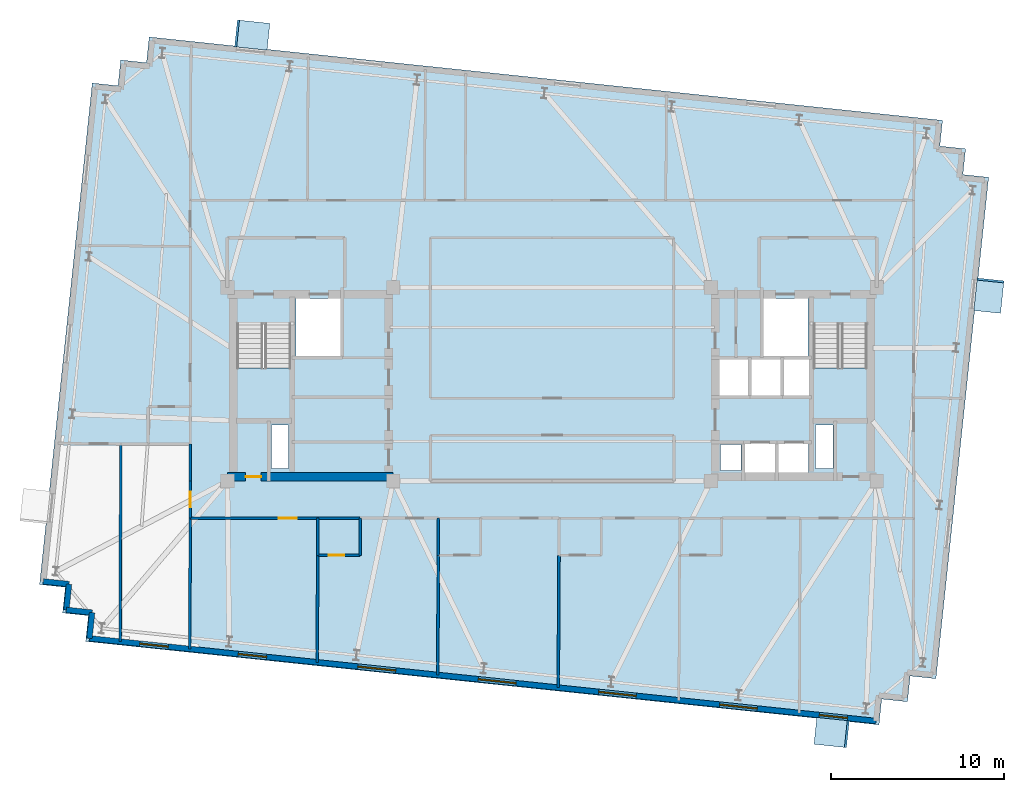
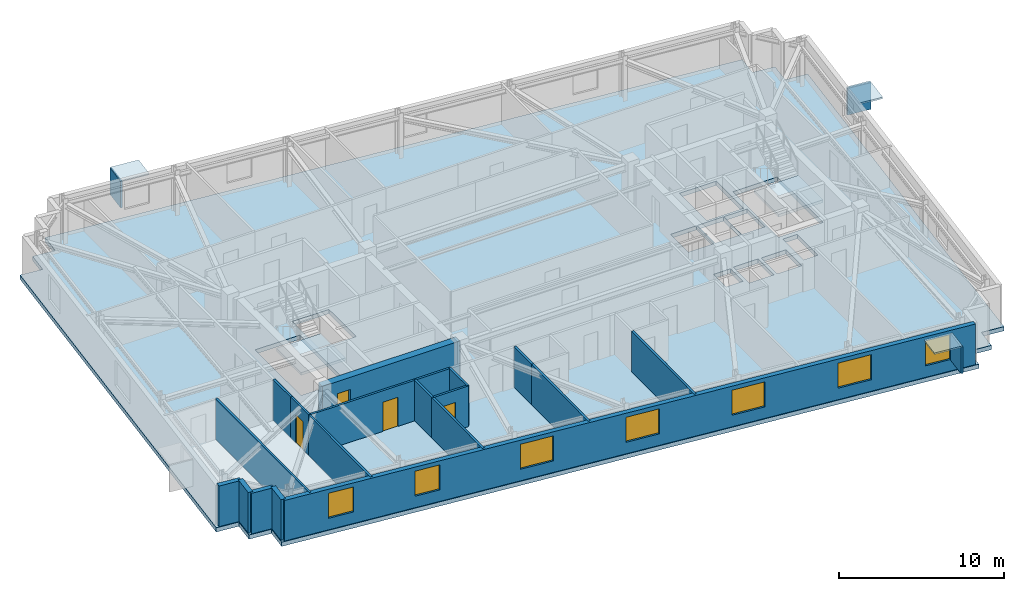
# One storey, part 5 of 11: 19 walls, 7 windows, 6 plates, 4 doors, 3 slabs, 11 openings, 2 elements without a shape of their own.
"""IFC4 building model written with IfcOpenShell, lengths in metres."""

from ifc_helpers import new_model, si_unit, direction, frame, frame_2d, origin, origin_2d, place, context, subcontext, project, spatial, polyline, rectangle, outline, extrude, material, layer, layer_set, type_object, element, fill, aggregate, save


model = new_model("IFC4")

# Units and contexts
model_context = context("Model", 3, precision=1e-05, world=origin(), true_north=direction((0.0, 1.0)))
body_context = subcontext(model_context, "Body", "Model", "MODEL_VIEW")
ifc_project = project(units=[si_unit("LENGTHUNIT", "METRE"), si_unit("AREAUNIT", "SQUARE_METRE"), si_unit("VOLUMEUNIT", "CUBIC_METRE"), si_unit("PLANEANGLEUNIT", "RADIAN"), si_unit("MASSUNIT", "GRAM", prefix="KILO")], contexts=[model_context])

# Site, building, storey
site_placement = place(None, origin())
site = spatial("IfcSite", under=ifc_project, at=site_placement, CompositionType="ELEMENT")
building_placement = place(site_placement, origin())
building = spatial("IfcBuilding", under=site, at=building_placement, Name="Qobustan Lattice House", CompositionType="ELEMENT")
storey_placement = place(building_placement, frame((0.0, 0.0, 219.85009765625)))
storey = spatial("IfcBuildingStorey", under=building, at=storey_placement, Name="L62", CompositionType="ELEMENT", Elevation=219.85009765625)

# Plates
ifc_material_1 = material(Name="Qobustan limestone GFRC", Category="masonry")
ifc_layer_1 = layer(ifc_material_1, 0.1201171875)
ifc_layer_set_1 = layer_set([ifc_layer_1], Name="Qobustan limestone GFRC")
plate_type = type_object("IfcPlateType", Name="SHD-HOOD-BROW", PredefinedType="USERDEFINED", material=ifc_layer_set_1)
plate_1_placement = place(storey_placement, frame((-17.364990234375, 20.224853515625, 2.699951171875), z_axis=(0.0, 0.0, 1.0), x_axis=(0.994521895368, -0.104528463268, 0.0)))
element("IfcPlate", 1, at=plate_1_placement, inside=storey, type_object=plate_type, Name="L62 splayed Qobustan stone hood brow", ObjectType="SUNSHADE", PredefinedType="USERDEFINED", context=body_context, shape_type="SweptSolid", body=[
    extrude(rectangle(XDim=1.889892578125, YDim=1.56005859375, at=origin_2d()), origin(), (0.0, 0.0, 1.0), 0.1201171875),
])
plate_2_placement = place(storey_placement, frame((-18.2451171875, 20.3173828125, 0.7900390625), z_axis=(0.0, 0.0, 1.0), x_axis=(0.994521895368, -0.104528463268, 0.0)))
element("IfcPlate", 2, at=plate_2_placement, inside=storey, type_object=plate_type, Name="L62 splayed Qobustan stone hood cheek", ObjectType="SUNSHADE", PredefinedType="USERDEFINED", context=body_context, shape_type="SweptSolid", body=[
    extrude(rectangle(XDim=0.1201171875, YDim=1.56005859375, at=origin_2d()), origin(), (0.0, 0.0, 1.0), 1.969970703125),
])
plate_3_placement = place(storey_placement, frame((25.29638671875, 5.134521484375, 2.699951171875), z_axis=(0.0, 0.0, 1.0), x_axis=(-0.104528463268, -0.994521895368, 0.0)))
element("IfcPlate", 3, at=plate_3_placement, inside=storey, type_object=plate_type, Name="L62 splayed Qobustan stone hood brow", ObjectType="SUNSHADE", PredefinedType="USERDEFINED", context=body_context, shape_type="SweptSolid", body=[
    extrude(rectangle(XDim=1.889892578125, YDim=1.56005859375, at=origin_2d()), origin(), (0.0, 0.0, 1.0), 0.1201171875),
])
plate_4_placement = place(storey_placement, frame((25.388916015625, 6.0146484375, 0.7900390625), z_axis=(0.0, 0.0, 1.0), x_axis=(-0.104528463268, -0.994521895368, 0.0)))
element("IfcPlate", 4, at=plate_4_placement, inside=storey, type_object=plate_type, Name="L62 splayed Qobustan stone hood cheek", ObjectType="SUNSHADE", PredefinedType="USERDEFINED", context=body_context, shape_type="SweptSolid", body=[
    extrude(rectangle(XDim=0.1201171875, YDim=1.56005859375, at=origin_2d()), origin(), (0.0, 0.0, 1.0), 1.969970703125),
])
plate_5_placement = place(storey_placement, frame((16.18994140625, -20.163818359375, 2.699951171875), z_axis=(0.0, 0.0, 1.0), x_axis=(-0.994521895368, 0.104528463268, 0.0)))
element("IfcPlate", 5, at=plate_5_placement, inside=storey, type_object=plate_type, Name="L62 splayed Qobustan stone hood brow", ObjectType="SUNSHADE", PredefinedType="USERDEFINED", context=body_context, shape_type="SweptSolid", body=[
    extrude(rectangle(XDim=1.889892578125, YDim=1.56005859375, at=origin_2d()), origin(), (0.0, 0.0, 1.0), 0.1201171875),
])
plate_6_placement = place(storey_placement, frame((17.070068359375, -20.25634765625, 0.7900390625), z_axis=(0.0, 0.0, 1.0), x_axis=(-0.994521895368, 0.104528463268, 0.0)))
element("IfcPlate", 6, at=plate_6_placement, inside=storey, type_object=plate_type, Name="L62 splayed Qobustan stone hood cheek", ObjectType="SUNSHADE", PredefinedType="USERDEFINED", context=body_context, shape_type="SweptSolid", body=[
    extrude(rectangle(XDim=0.1201171875, YDim=1.56005859375, at=origin_2d()), origin(), (0.0, 0.0, 1.0), 1.969970703125),
])

# Slab
ifc_material_2 = material(Name="Concrete C40/50", Category="concrete")
ifc_layer_2 = layer(ifc_material_2, 0.31005859375)
ifc_layer_set_2 = layer_set([ifc_layer_2], Name="Concrete C40/50")
slab_type_1 = type_object("IfcSlabType", Name="SLB-FLR-310", PredefinedType="FLOOR", material=ifc_layer_set_2)
slab_1_placement = place(storey_placement, frame((0.0, 0.0, -0.31005859375)))
element("IfcSlab", 7, at=slab_1_placement, inside=storey, type_object=slab_type_1, Name="L62 structural floor slab", PredefinedType="FLOOR", context=body_context, shape_type="SweptSolid", body=[
    extrude(outline(polyline([(-27.01318359375, -14.888916015625), (18.933837890625, -19.71826171875), (19.090576171875, -18.226318359375), (20.582275390625, -18.38330078125), (20.739013671875, -16.891357421875), (22.23095703125, -17.048095703125), (25.283203125, 11.99169921875), (23.79150390625, 12.148681640625), (23.947998046875, 13.640380859375), (22.456298828125, 13.797119140625), (22.61328125, 15.2890625), (-23.333740234375, 20.1181640625), (-23.490478515625, 18.62646484375), (-24.982421875, 18.783203125), (-25.13916015625, 17.29150390625), (-26.630859375, 17.4482421875), (-29.68310546875, -11.591796875), (-28.19140625, -11.74853515625), (-28.34814453125, -13.240478515625), (-26.8564453125, -13.397216796875), (-27.01318359375, -14.888916015625)]), holes=[polyline([(-18.25, -2.050048828125), (-18.25, 3.489990234375), (-15.1298828125, 3.489990234375), (-15.1298828125, -2.050048828125), (-18.25, -2.050048828125)]), polyline([(15.1298828125, -2.050048828125), (15.1298828125, 3.489990234375), (18.25, 3.489990234375), (18.25, -2.050048828125), (15.1298828125, -2.050048828125)]), polyline([(-14.820068359375, 1.64990234375), (-14.820068359375, 4.9599609375), (-12.25, 4.9599609375), (-12.25, 1.64990234375), (-14.820068359375, 1.64990234375)]), polyline([(12.25, 1.64990234375), (12.25, 4.9599609375), (14.820068359375, 4.9599609375), (14.820068359375, 1.64990234375), (12.25, 1.64990234375)]), polyline([(-16.260009765625, -4.8798828125), (-16.260009765625, -2.360107421875), (-15.260009765625, -2.360107421875), (-15.260009765625, -4.8798828125), (-16.260009765625, -4.8798828125)]), polyline([(15.260009765625, -4.8798828125), (15.260009765625, -2.360107421875), (16.260009765625, -2.360107421875), (16.260009765625, -4.8798828125), (15.260009765625, -4.8798828125)]), polyline([(11.179931640625, -5.35009765625), (11.179931640625, -3.419921875), (12.919921875, -3.419921875), (12.919921875, -5.35009765625), (11.179931640625, -5.35009765625)]), polyline([(13.1201171875, -5.35009765625), (13.1201171875, -3.419921875), (14.85009765625, -3.419921875), (14.85009765625, -5.35009765625), (13.1201171875, -5.35009765625)]), polyline([(9.760009765625, -5.0), (9.760009765625, -3.47998046875), (10.93994140625, -3.47998046875), (10.93994140625, -5.0), (9.760009765625, -5.0)]), polyline([(13.360107421875, -0.679931640625), (13.360107421875, 1.47998046875), (14.97998046875, 1.47998046875), (14.97998046875, -0.679931640625), (13.360107421875, -0.679931640625)]), polyline([(9.6201171875, -0.679931640625), (9.6201171875, 1.47998046875), (11.43994140625, 1.47998046875), (11.43994140625, -0.679931640625), (9.6201171875, -0.679931640625)]), polyline([(11.5, -0.679931640625), (11.5, 1.47998046875), (13.320068359375, 1.47998046875), (13.320068359375, -0.679931640625), (11.5, -0.679931640625)])]), origin(), (0.0, 0.0, 1.0), 0.31005859375),
])

# Stair, slab
ifc_material_3 = material(Name="Concrete C40/50", Category="concrete")
stair_type = type_object("IfcStairType", Name="STR-CORE-DOGLEG", PredefinedType="HALF_TURN_STAIR", material=ifc_material_3)
stair_1_placement = place(storey_placement, origin())
stair_1 = element("IfcStair", 8, at=stair_1_placement, inside=storey, type_object=stair_type, Name="L62 West protected exit stair ST-W1", PredefinedType="HALF_TURN_STAIR")
ifc_material_4 = material(Name="Concrete C40/50", Category="concrete")
ifc_layer_3 = layer(ifc_material_4, 0.199951171875)
ifc_layer_set_3 = layer_set([ifc_layer_3], Name="Concrete C40/50")
slab_type_2 = type_object("IfcSlabType", Name="SLB-LANDING-200", PredefinedType="LANDING", material=ifc_layer_set_3)
slab_2_placement = place(storey_placement, frame((0.0, 0.0, 1.474853515625)))
slab_2 = element("IfcSlab", 9, at=slab_2_placement, type_object=slab_type_2, Name="ST-W1 landing 1", PredefinedType="LANDING", context=body_context, shape_type="SweptSolid", body=[
    extrude(outline(polyline([(-18.25, 0.93505859375), (-18.25, -2.050048828125), (-15.1298828125, -2.050048828125), (-15.1298828125, 0.93505859375), (-18.25, 0.93505859375)])), origin(), (0.0, 0.0, 1.0), 0.199951171875),
])
aggregate(stair_1, [slab_2])

stair_2_placement = place(storey_placement, origin())
stair_2 = element("IfcStair", 10, at=stair_2_placement, inside=storey, type_object=stair_type, Name="L62 East protected exit stair ST-E1", PredefinedType="HALF_TURN_STAIR")
slab_3_placement = place(storey_placement, frame((0.0, 0.0, 1.474853515625)))
slab_3 = element("IfcSlab", 11, at=slab_3_placement, type_object=slab_type_2, Name="ST-E1 landing 1", PredefinedType="LANDING", context=body_context, shape_type="SweptSolid", body=[
    extrude(outline(polyline([(15.1298828125, 0.93505859375), (15.1298828125, -2.050048828125), (18.25, -2.050048828125), (18.25, 0.93505859375), (15.1298828125, 0.93505859375)])), origin(), (0.0, 0.0, 1.0), 0.199951171875),
])
aggregate(stair_2, [slab_3])

# Wall, opening, door
ifc_material_5 = material(Name="Concrete C50/60", Category="concrete")
ifc_layer_4 = layer(ifc_material_5, 0.5)
ifc_layer_set_4 = layer_set([ifc_layer_4], Name="Concrete C50/60")
wall_type_1 = type_object("IfcWallType", Name="WAL-CORE-500", PredefinedType="SHEAR", material=ifc_layer_set_4)
wall_1_placement = place(storey_placement, frame((-18.800048828125, -5.35009765625, 0.0), z_axis=(0.0, 0.0, 1.0), x_axis=(1.0, 0.0, 0.0)))
wall_1 = element("IfcWall", 12, at=wall_1_placement, inside=storey, type_object=wall_type_1, Name="L62 split-core shear wall CW-S", PredefinedType="SHEAR", context=body_context, shape_type="SweptSolid", body=[
    extrude(rectangle(XDim=9.60009765625, YDim=0.5, at=frame_2d((4.800048828125, 0.0))), origin(), (0.0, 0.0, 1.0), 3.0),
])
opening_1_placement = place(wall_1_placement, frame((1.050048828125, 0.0, 0.0)))
opening_1 = element("IfcOpeningElement", 13, at=opening_1_placement, cuts=wall_1, Name="Opening RD-01", PredefinedType="OPENING", context=body_context, shape_type="SweptSolid", body=[
    extrude(rectangle(XDim=0.89990234375, YDim=2.10009765625, at=frame_2d((0.449951171875, 1.050048828125))), frame((0.0, 0.260009765625, 0.0), z_axis=(0.0, -1.0, 0.0), x_axis=(1.0, 0.0, 0.0)), (0.0, 0.0, 1.0), 0.52001953125),
])
ifc_material_6 = material(Name="Persian walnut timber and steel frame door", Category="steel")
door_type_1 = type_object("IfcDoorType", Name="DOR-RISER-FD-900x2100", OperationType="NOTDEFINED", PredefinedType="DOOR", material=ifc_material_6)
door_1_placement = place(opening_1_placement, origin())
door_1 = element("IfcDoor", 14, at=door_1_placement, inside=storey, type_object=door_type_1, Name="L62 core service riser access door W", OperationType="SINGLE_SWING_RIGHT", OverallHeight=2.10009765625, OverallWidth=0.89990234375, PredefinedType="DOOR", context=body_context, shape_type="SweptSolid", body=[
    extrude(rectangle(XDim=0.89990234375, YDim=2.10009765625, at=frame_2d((0.449951171875, 1.050048828125))), frame((0.0, 0.02490234375, 0.0), z_axis=(0.0, -1.0, 0.0), x_axis=(1.0, 0.0, 0.0)), (0.0, 0.0, 1.0), 0.050048828125),
])
fill(opening_1, door_1)

# Walls
ifc_material_7 = material(Name="Precast concrete C40/50", Category="concrete")
ifc_layer_5 = layer(ifc_material_7, 0.320068359375)
ifc_layer_set_5 = layer_set([ifc_layer_5], Name="Precast concrete C40/50")
wall_type_2 = type_object("IfcWallType", Name="WAL-EXT-STONE-320", PredefinedType="SOLIDWALL", material=ifc_layer_set_5)
for number, where, z_axis, x_axis, name in (
    (15, (-26.79345703125, -14.7109375, 0.0), (0.0, 0.0, 1.0), (0.104498377516, 0.994525057048, 0.0), "L62 exterior limestone-clad wall 1"),
    (16, (-26.63671875, -13.21923828125, 0.0), (0.0, 0.0, 1.0), (-0.994525057048, 0.104498377516, 0.0), "L62 exterior limestone-clad wall 2"),
):
    element("IfcWall", number, at=place(storey_placement, frame(where, z_axis=z_axis, x_axis=x_axis)), inside=storey, type_object=wall_type_2, Name=name, PredefinedType="SOLIDWALL", context=body_context, shape_type="SweptSolid", body=[
        extrude(rectangle(XDim=1.5, YDim=0.320068359375, at=frame_2d((0.75, 0.0))), origin(), (0.0, 0.0, 1.0), 3.0),
    ])
wall_2_placement = place(storey_placement, frame((-28.12841796875, -13.0625, 0.0), z_axis=(0.0, 0.0, 1.0), x_axis=(0.104481464157, 0.994526834051, 0.0)))
element("IfcWall", 17, at=wall_2_placement, inside=storey, type_object=wall_type_2, Name="L62 exterior limestone-clad wall 3", PredefinedType="SOLIDWALL", context=body_context, shape_type="SweptSolid", body=[
    extrude(rectangle(XDim=1.500244140625, YDim=0.320068359375, at=frame_2d((0.75, 0.0))), origin(), (0.0, 0.0, 1.0), 3.0),
])
wall_3_placement = place(storey_placement, frame((-27.9716796875, -11.570556640625, 0.0), z_axis=(0.0, 0.0, 1.0), x_axis=(-0.994525057048, 0.104498377516, 0.0)))
element("IfcWall", 18, at=wall_3_placement, inside=storey, type_object=wall_type_2, Name="L62 exterior limestone-clad wall 4", PredefinedType="SOLIDWALL", context=body_context, shape_type="SweptSolid", body=[
    extrude(rectangle(XDim=1.5, YDim=0.320068359375, at=frame_2d((0.75, 0.0))), origin(), (0.0, 0.0, 1.0), 3.0),
])

# Wall, openings, windows
wall_4_placement = place(storey_placement, frame((18.755859375, -19.498291015625, 0.0), z_axis=(0.0, 0.0, 1.0), x_axis=(-0.994522060044, 0.104526896475, 0.0)))
wall_4 = element("IfcWall", 19, at=wall_4_placement, inside=storey, type_object=wall_type_2, Name="L62 exterior limestone-clad wall 20", PredefinedType="SOLIDWALL", context=body_context, shape_type="SweptSolid", body=[
    extrude(rectangle(XDim=45.80029296875, YDim=0.320068359375, at=frame_2d((22.900146484375, 0.0))), origin(), (0.0, 0.0, 1.0), 3.0),
])
opening_2_placement = place(wall_4_placement, frame((1.6572265625, 0.0, 0.85009765625)))
opening_2 = element("IfcOpeningElement", 20, at=opening_2_placement, cuts=wall_4, Name="Opening WN-09", PredefinedType="OPENING", context=body_context, shape_type="SweptSolid", body=[
    extrude(rectangle(XDim=1.64990234375, YDim=1.85009765625, at=frame_2d((0.824951171875, 0.925048828125))), frame((0.0, 0.169921875, 0.0), z_axis=(0.0, -1.0, 0.0), x_axis=(1.0, 0.0, 0.0)), (0.0, 0.0, 1.0), 0.340087890625),
])
opening_3_placement = place(wall_4_placement, frame((6.906982421875, 0.0, 0.85009765625)))
opening_3 = element("IfcOpeningElement", 21, at=opening_3_placement, cuts=wall_4, Name="Opening WN-03", PredefinedType="OPENING", context=body_context, shape_type="SweptSolid", body=[
    extrude(rectangle(XDim=2.199951171875, YDim=1.85009765625, at=frame_2d((1.10009765625, 0.925048828125))), frame((0.0, 0.169921875, 0.0), z_axis=(0.0, -1.0, 0.0), x_axis=(1.0, 0.0, 0.0)), (0.0, 0.0, 1.0), 0.340087890625),
])
opening_4_placement = place(wall_4_placement, frame((13.953125, 0.0, 0.85009765625)))
opening_4 = element("IfcOpeningElement", 22, at=opening_4_placement, cuts=wall_4, Name="Opening WN-03", PredefinedType="OPENING", context=body_context, shape_type="SweptSolid", body=[
    extrude(rectangle(XDim=2.199951171875, YDim=1.85009765625, at=frame_2d((1.10009765625, 0.925048828125))), frame((0.0, 0.169921875, 0.0), z_axis=(0.0, -1.0, 0.0), x_axis=(1.0, 0.0, 0.0)), (0.0, 0.0, 1.0), 0.340087890625),
])
opening_5_placement = place(wall_4_placement, frame((20.959228515625, 0.0, 0.85009765625)))
opening_5 = element("IfcOpeningElement", 23, at=opening_5_placement, cuts=wall_4, Name="Opening WN-03", PredefinedType="OPENING", context=body_context, shape_type="SweptSolid", body=[
    extrude(rectangle(XDim=2.199951171875, YDim=1.85009765625, at=frame_2d((1.10009765625, 0.925048828125))), frame((0.0, 0.169921875, 0.0), z_axis=(0.0, -1.0, 0.0), x_axis=(1.0, 0.0, 0.0)), (0.0, 0.0, 1.0), 0.340087890625),
])
opening_6_placement = place(wall_4_placement, frame((27.96533203125, 0.0, 0.85009765625)))
opening_6 = element("IfcOpeningElement", 24, at=opening_6_placement, cuts=wall_4, Name="Opening WN-03", PredefinedType="OPENING", context=body_context, shape_type="SweptSolid", body=[
    extrude(rectangle(XDim=2.199951171875, YDim=1.85009765625, at=frame_2d((1.10009765625, 0.925048828125))), frame((0.0, 0.169921875, 0.0), z_axis=(0.0, -1.0, 0.0), x_axis=(1.0, 0.0, 0.0)), (0.0, 0.0, 1.0), 0.340087890625),
])
opening_7_placement = place(wall_4_placement, frame((35.48681640625, 0.0, 0.85009765625)))
opening_7 = element("IfcOpeningElement", 25, at=opening_7_placement, cuts=wall_4, Name="Opening WN-09", PredefinedType="OPENING", context=body_context, shape_type="SweptSolid", body=[
    extrude(rectangle(XDim=1.64990234375, YDim=1.85009765625, at=frame_2d((0.824951171875, 0.925048828125))), frame((0.0, 0.169921875, 0.0), z_axis=(0.0, -1.0, 0.0), x_axis=(1.0, 0.0, 0.0)), (0.0, 0.0, 1.0), 0.340087890625),
])
opening_8_placement = place(wall_4_placement, frame((41.2119140625, 0.0, 0.85009765625)))
opening_8 = element("IfcOpeningElement", 26, at=opening_8_placement, cuts=wall_4, Name="Opening WN-09", PredefinedType="OPENING", context=body_context, shape_type="SweptSolid", body=[
    extrude(rectangle(XDim=1.64990234375, YDim=1.85009765625, at=frame_2d((0.824951171875, 0.925048828125))), frame((0.0, 0.169921875, 0.0), z_axis=(0.0, -1.0, 0.0), x_axis=(1.0, 0.0, 0.0)), (0.0, 0.0, 1.0), 0.340087890625),
])
ifc_material_8 = material(Name="Double-glazed low-E aluminium window", Category="aluminium")
window_type_1 = type_object("IfcWindowType", Name="WIN-STU-1650x1850", PartitioningType="SINGLE_PANEL", PredefinedType="WINDOW", material=ifc_material_8)
window_1_placement = place(opening_2_placement, origin())
window_1 = element("IfcWindow", 27, at=window_1_placement, inside=storey, type_object=window_type_1, Name="L62 Group study room window", OverallHeight=1.85009765625, OverallWidth=1.64990234375, PartitioningType="SINGLE_PANEL", PredefinedType="WINDOW", context=body_context, shape_type="SweptSolid", body=[
    extrude(rectangle(XDim=1.64990234375, YDim=1.85009765625, at=frame_2d((0.824951171875, 0.925048828125))), frame((0.0, 0.030029296875, 0.0), z_axis=(0.0, -1.0, 0.0), x_axis=(1.0, 0.0, 0.0)), (0.0, 0.0, 1.0), 0.06005859375),
])
fill(opening_2, window_1)
window_2_placement = place(opening_7_placement, origin())
window_2 = element("IfcWindow", 28, at=window_2_placement, inside=storey, type_object=window_type_1, Name="L62 Focus study room S1 window", OverallHeight=1.85009765625, OverallWidth=1.64990234375, PartitioningType="SINGLE_PANEL", PredefinedType="WINDOW", context=body_context, shape_type="SweptSolid", body=[
    extrude(rectangle(XDim=1.64990234375, YDim=1.85009765625, at=frame_2d((0.824951171875, 0.925048828125))), frame((0.0, 0.030029296875, 0.0), z_axis=(0.0, -1.0, 0.0), x_axis=(1.0, 0.0, 0.0)), (0.0, 0.0, 1.0), 0.06005859375),
])
fill(opening_7, window_2)
window_3_placement = place(opening_8_placement, origin())
window_3 = element("IfcWindow", 29, at=window_3_placement, inside=storey, type_object=window_type_1, Name="L62 Focus study room W1B window", OverallHeight=1.85009765625, OverallWidth=1.64990234375, PartitioningType="SINGLE_PANEL", PredefinedType="WINDOW", context=body_context, shape_type="SweptSolid", body=[
    extrude(rectangle(XDim=1.64990234375, YDim=1.85009765625, at=frame_2d((0.824951171875, 0.925048828125))), frame((0.0, 0.030029296875, 0.0), z_axis=(0.0, -1.0, 0.0), x_axis=(1.0, 0.0, 0.0)), (0.0, 0.0, 1.0), 0.06005859375),
])
fill(opening_8, window_3)
ifc_material_9 = material(Name="Double-glazed low-E aluminium window", Category="aluminium")
window_type_2 = type_object("IfcWindowType", Name="WIN-WIDE-2200x1850", PartitioningType="SINGLE_PANEL", PredefinedType="WINDOW", material=ifc_material_9)
window_4_placement = place(opening_3_placement, origin())
window_4 = element("IfcWindow", 30, at=window_4_placement, inside=storey, type_object=window_type_2, Name="L62 Kitchenette and studio apartment L62-S5 window", OverallHeight=1.85009765625, OverallWidth=2.199951171875, PartitioningType="SINGLE_PANEL", PredefinedType="WINDOW", context=body_context, shape_type="SweptSolid", body=[
    extrude(rectangle(XDim=2.199951171875, YDim=1.85009765625, at=frame_2d((1.10009765625, 0.925048828125))), frame((0.0, 0.030029296875, 0.0), z_axis=(0.0, -1.0, 0.0), x_axis=(1.0, 0.0, 0.0)), (0.0, 0.0, 1.0), 0.06005859375),
])
fill(opening_3, window_4)
window_5_placement = place(opening_4_placement, origin())
window_5 = element("IfcWindow", 31, at=window_5_placement, inside=storey, type_object=window_type_2, Name="L62 Kitchenette and studio apartment L62-S4 window", OverallHeight=1.85009765625, OverallWidth=2.199951171875, PartitioningType="SINGLE_PANEL", PredefinedType="WINDOW", context=body_context, shape_type="SweptSolid", body=[
    extrude(rectangle(XDim=2.199951171875, YDim=1.85009765625, at=frame_2d((1.10009765625, 0.925048828125))), frame((0.0, 0.030029296875, 0.0), z_axis=(0.0, -1.0, 0.0), x_axis=(1.0, 0.0, 0.0)), (0.0, 0.0, 1.0), 0.06005859375),
])
fill(opening_4, window_5)
window_6_placement = place(opening_5_placement, origin())
window_6 = element("IfcWindow", 32, at=window_6_placement, inside=storey, type_object=window_type_2, Name="L62 Kitchenette and studio apartment L62-S3 window", OverallHeight=1.85009765625, OverallWidth=2.199951171875, PartitioningType="SINGLE_PANEL", PredefinedType="WINDOW", context=body_context, shape_type="SweptSolid", body=[
    extrude(rectangle(XDim=2.199951171875, YDim=1.85009765625, at=frame_2d((1.10009765625, 0.925048828125))), frame((0.0, 0.030029296875, 0.0), z_axis=(0.0, -1.0, 0.0), x_axis=(1.0, 0.0, 0.0)), (0.0, 0.0, 1.0), 0.06005859375),
])
fill(opening_5, window_6)
window_7_placement = place(opening_6_placement, origin())
window_7 = element("IfcWindow", 33, at=window_7_placement, inside=storey, type_object=window_type_2, Name="L62 Kitchenette and studio apartment L62-S2 window", OverallHeight=1.85009765625, OverallWidth=2.199951171875, PartitioningType="SINGLE_PANEL", PredefinedType="WINDOW", context=body_context, shape_type="SweptSolid", body=[
    extrude(rectangle(XDim=2.199951171875, YDim=1.85009765625, at=frame_2d((1.10009765625, 0.925048828125))), frame((0.0, 0.030029296875, 0.0), z_axis=(0.0, -1.0, 0.0), x_axis=(1.0, 0.0, 0.0)), (0.0, 0.0, 1.0), 0.06005859375),
])
fill(opening_6, window_7)

# Wall, opening, door
ifc_material_10 = material(Name="Acoustic twin-stud gypsum partition", Category="gypsum")
ifc_layer_6 = layer(ifc_material_10, 0.14990234375)
ifc_layer_set_6 = layer_set([ifc_layer_6], Name="Acoustic twin-stud gypsum partition")
wall_type_3 = type_object("IfcWallType", Name="WAL-PART-150", PredefinedType="PARTITIONING", material=ifc_layer_set_6)
wall_5_placement = place(storey_placement, frame((-20.949951171875, -7.75, 0.0), z_axis=(0.0, 0.0, 1.0), x_axis=(0.0, 1.0, 0.0)))
wall_5 = element("IfcWall", 34, at=wall_5_placement, inside=storey, type_object=wall_type_3, Name="L62 interior partition 41", PredefinedType="PARTITIONING", context=body_context, shape_type="SweptSolid", body=[
    extrude(rectangle(XDim=2.14990234375, YDim=0.14990234375, at=frame_2d((1.074951171875, 0.0))), origin(), (0.0, 0.0, 1.0), 3.0),
])
opening_9_placement = place(wall_5_placement, frame((0.625, 0.0, 0.0)))
opening_9 = element("IfcOpeningElement", 35, at=opening_9_placement, cuts=wall_5, Name="Opening WD-01", PredefinedType="OPENING", context=body_context, shape_type="SweptSolid", body=[
    extrude(rectangle(XDim=0.89990234375, YDim=2.10009765625, at=frame_2d((0.449951171875, 1.050048828125))), frame((0.0, 0.0849609375, 0.0), z_axis=(0.0, -1.0, 0.0), x_axis=(1.0, 0.0, 0.0)), (0.0, 0.0, 1.0), 0.169921875),
])
ifc_material_11 = material(Name="Persian walnut timber and steel frame door", Category="steel")
door_type_2 = type_object("IfcDoorType", Name="DOR-WET-900x2100", OperationType="NOTDEFINED", PredefinedType="DOOR", material=ifc_material_11)
door_2_placement = place(opening_9_placement, origin())
door_2 = element("IfcDoor", 36, at=door_2_placement, inside=storey, type_object=door_type_2, Name="L62 South-west floor corridor to Focus study room W1B door", OperationType="SINGLE_SWING_LEFT", OverallHeight=2.10009765625, OverallWidth=0.89990234375, PredefinedType="DOOR", context=body_context, shape_type="SweptSolid", body=[
    extrude(rectangle(XDim=0.89990234375, YDim=2.10009765625, at=frame_2d((0.449951171875, 1.050048828125))), frame((0.0, 0.02490234375, 0.0), z_axis=(0.0, -1.0, 0.0), x_axis=(1.0, 0.0, 0.0)), (0.0, 0.0, 1.0), 0.050048828125),
])
fill(opening_9, door_2)

wall_6_placement = place(storey_placement, frame((-13.56689453125, -7.75, 0.0), z_axis=(0.0, 0.0, 1.0), x_axis=(-1.0, 0.0, 0.0)))
wall_6 = element("IfcWall", 37, at=wall_6_placement, inside=storey, type_object=wall_type_3, Name="L62 interior partition 42", PredefinedType="PARTITIONING", context=body_context, shape_type="SweptSolid", body=[
    extrude(rectangle(XDim=7.383056640625, YDim=0.14990234375, at=frame_2d((3.69140625, 0.0))), origin(), (0.0, 0.0, 1.0), 3.0),
])
opening_10_placement = place(wall_6_placement, frame((1.2265625, 0.0, 0.0)))
opening_10 = element("IfcOpeningElement", 38, at=opening_10_placement, cuts=wall_6, Name="Opening ID-02", PredefinedType="OPENING", context=body_context, shape_type="SweptSolid", body=[
    extrude(rectangle(XDim=1.050048828125, YDim=2.14990234375, at=frame_2d((0.52490234375, 1.074951171875))), frame((0.0, 0.0849609375, 0.0), z_axis=(0.0, -1.0, 0.0), x_axis=(1.0, 0.0, 0.0)), (0.0, 0.0, 1.0), 0.169921875),
])
ifc_material_12 = material(Name="Persian walnut timber and steel frame door", Category="steel")
door_type_3 = type_object("IfcDoorType", Name="DOR-STUDY-1050x2150", OperationType="NOTDEFINED", PredefinedType="DOOR", material=ifc_material_12)
door_3_placement = place(opening_10_placement, origin())
door_3 = element("IfcDoor", 39, at=door_3_placement, inside=storey, type_object=door_type_3, Name="L62 South-west floor corridor to Focus study room S1 door", OperationType="SINGLE_SWING_RIGHT", OverallHeight=2.14990234375, OverallWidth=1.050048828125, PredefinedType="DOOR", context=body_context, shape_type="SweptSolid", body=[
    extrude(rectangle(XDim=1.050048828125, YDim=2.14990234375, at=frame_2d((0.52490234375, 1.074951171875))), frame((0.0, 0.02490234375, 0.0), z_axis=(0.0, -1.0, 0.0), x_axis=(1.0, 0.0, 0.0)), (0.0, 0.0, 1.0), 0.050048828125),
])
fill(opening_10, door_3)

# Walls
wall_7_placement = place(storey_placement, frame((-20.949951171875, -5.60009765625, 0.0), z_axis=(0.0, 0.0, 1.0), x_axis=(0.0, 1.0, 0.0)))
element("IfcWall", 40, at=wall_7_placement, inside=storey, type_object=wall_type_3, Name="L62 interior partition 56", PredefinedType="PARTITIONING", context=body_context, shape_type="SweptSolid", body=[
    extrude(rectangle(XDim=2.14404296875, YDim=0.14990234375, at=frame_2d((1.072021484375, 0.0))), origin(), (0.0, 0.0, 1.0), 3.0),
])
wall_8_placement = place(storey_placement, frame((-24.975830078125, -3.4560546875, 0.0), z_axis=(0.0, 0.0, 1.0), x_axis=(-0.003840873, -0.99999262382, 0.0)))
element("IfcWall", 41, at=wall_8_placement, inside=storey, type_object=wall_type_3, Name="L62 interior partition 68", PredefinedType="PARTITIONING", context=body_context, shape_type="SweptSolid", body=[
    extrude(rectangle(XDim=11.44140625, YDim=0.14990234375, at=frame_2d((5.720703125, 0.0))), origin(), (0.0, 0.0, 1.0), 3.0),
])
wall_9_placement = place(storey_placement, frame((-20.949951171875, -7.75, 0.0), z_axis=(0.0, 0.0, 1.0), x_axis=(-0.005804668564, -0.99998315277, 0.0)))
element("IfcWall", 42, at=wall_9_placement, inside=storey, type_object=wall_type_3, Name="L62 interior partition 72", PredefinedType="PARTITIONING", context=body_context, shape_type="SweptSolid", body=[
    extrude(rectangle(XDim=7.57080078125, YDim=0.14990234375, at=frame_2d((3.785400390625, 0.0))), origin(), (0.0, 0.0, 1.0), 3.0),
])
wall_10_placement = place(storey_placement, frame((-13.56689453125, -9.89990234375, 0.0), z_axis=(0.0, 0.0, 1.0), x_axis=(-0.007091740814, -0.99997485329, 0.0)))
element("IfcWall", 43, at=wall_10_placement, inside=storey, type_object=wall_type_3, Name="L62 interior partition 84", PredefinedType="PARTITIONING", context=body_context, shape_type="SweptSolid", body=[
    extrude(rectangle(XDim=6.19677734375, YDim=0.14990234375, at=frame_2d((3.098388671875, 0.0))), origin(), (0.0, 0.0, 1.0), 3.0),
])
wall_11_placement = place(storey_placement, frame((-6.5830078125, -9.89990234375, 0.0), z_axis=(0.0, 0.0, 1.0), x_axis=(-0.006340579882, -0.999979898321, 0.0)))
element("IfcWall", 44, at=wall_11_placement, inside=storey, type_object=wall_type_3, Name="L62 interior partition 88", PredefinedType="PARTITIONING", context=body_context, shape_type="SweptSolid", body=[
    extrude(rectangle(XDim=6.930908203125, YDim=0.14990234375, at=frame_2d((3.46533203125, 0.0))), origin(), (0.0, 0.0, 1.0), 3.0),
])
wall_12_placement = place(storey_placement, frame((0.39990234375, -9.89990234375, 0.0), z_axis=(0.0, 0.0, 1.0), x_axis=(-0.005701633766, -0.999983745554, 0.0)))
element("IfcWall", 45, at=wall_12_placement, inside=storey, type_object=wall_type_3, Name="L62 interior partition 92", PredefinedType="PARTITIONING", context=body_context, shape_type="SweptSolid", body=[
    extrude(rectangle(XDim=7.664794921875, YDim=0.14990234375, at=frame_2d((3.83251953125, 0.0))), origin(), (0.0, 0.0, 1.0), 3.0),
])
ifc_material_13 = material(Name="Moisture-resistant acoustic plumbing wall", Category="gypsum")
ifc_layer_7 = layer(ifc_material_13, 0.14990234375)
ifc_layer_set_7 = layer_set([ifc_layer_7], Name="Moisture-resistant acoustic plumbing wall")
wall_type_4 = type_object("IfcWallType", Name="WAL-WET-150", PredefinedType="PLUMBINGWALL", material=ifc_layer_set_7)
wall_13_placement = place(storey_placement, frame((-11.116943359375, -7.75, 0.0), z_axis=(0.0, 0.0, 1.0), x_axis=(-1.0, 0.0, 0.0)))
element("IfcWall", 46, at=wall_13_placement, inside=storey, type_object=wall_type_4, Name="L62 interior partition 44", PredefinedType="PLUMBINGWALL", context=body_context, shape_type="SweptSolid", body=[
    extrude(rectangle(XDim=2.449951171875, YDim=0.14990234375, at=frame_2d((1.22509765625, 0.0))), origin(), (0.0, 0.0, 1.0), 3.0),
])
wall_14_placement = place(storey_placement, frame((-13.56689453125, -7.75, 0.0), z_axis=(0.0, 0.0, 1.0), x_axis=(0.0, -1.0, 0.0)))
element("IfcWall", 47, at=wall_14_placement, inside=storey, type_object=wall_type_4, Name="L62 interior partition 85", PredefinedType="PLUMBINGWALL", context=body_context, shape_type="SweptSolid", body=[
    extrude(rectangle(XDim=2.14990234375, YDim=0.14990234375, at=frame_2d((1.074951171875, 0.0))), origin(), (0.0, 0.0, 1.0), 3.0),
])

# Wall, opening, door
wall_15_placement = place(storey_placement, frame((-13.56689453125, -9.89990234375, 0.0), z_axis=(0.0, 0.0, 1.0), x_axis=(1.0, 0.0, 0.0)))
wall_15 = element("IfcWall", 48, at=wall_15_placement, inside=storey, type_object=wall_type_4, Name="L62 interior partition 86", PredefinedType="PLUMBINGWALL", context=body_context, shape_type="SweptSolid", body=[
    extrude(rectangle(XDim=2.449951171875, YDim=0.14990234375, at=frame_2d((1.22509765625, 0.0))), origin(), (0.0, 0.0, 1.0), 3.0),
])
opening_11_placement = place(wall_15_placement, frame((0.628662109375, 0.0, 0.0)))
opening_11 = element("IfcOpeningElement", 49, at=opening_11_placement, cuts=wall_15, Name="Opening WD-01", PredefinedType="OPENING", context=body_context, shape_type="SweptSolid", body=[
    extrude(rectangle(XDim=0.89990234375, YDim=2.10009765625, at=frame_2d((0.449951171875, 1.050048828125))), frame((0.0, 0.0849609375, 0.0), z_axis=(0.0, -1.0, 0.0), x_axis=(1.0, 0.0, 0.0)), (0.0, 0.0, 1.0), 0.169921875),
])
door_4_placement = place(opening_11_placement, origin())
door_4 = element("IfcDoor", 50, at=door_4_placement, inside=storey, type_object=door_type_2, Name="L62 Kitchenette and studio apartment L62-S2 to En-suite bathroom L62-S2 door", OperationType="SINGLE_SWING_LEFT", OverallHeight=2.10009765625, OverallWidth=0.89990234375, PredefinedType="DOOR", context=body_context, shape_type="SweptSolid", body=[
    extrude(rectangle(XDim=0.89990234375, YDim=2.10009765625, at=frame_2d((0.449951171875, 1.050048828125))), frame((0.0, 0.02490234375, 0.0), z_axis=(0.0, -1.0, 0.0), x_axis=(1.0, 0.0, 0.0)), (0.0, 0.0, 1.0), 0.050048828125),
])
fill(opening_11, door_4)

# Walls
for number, where, z_axis, x_axis, name in (
    (51, (-11.116943359375, -9.89990234375, 0.0), (0.0, 0.0, 1.0), (0.0, 1.0, 0.0), "L62 interior partition 87"),
    (52, (-6.5830078125, -7.75, 0.0), (0.0, 0.0, 1.0), (0.0, -1.0, 0.0), "L62 interior partition 89"),
):
    element("IfcWall", number, at=place(storey_placement, frame(where, z_axis=z_axis, x_axis=x_axis)), inside=storey, type_object=wall_type_4, Name=name, PredefinedType="PLUMBINGWALL", context=body_context, shape_type="SweptSolid", body=[
        extrude(rectangle(XDim=2.14990234375, YDim=0.14990234375, at=frame_2d((1.074951171875, 0.0))), origin(), (0.0, 0.0, 1.0), 3.0),
    ])

save(model, "model.ifc")
